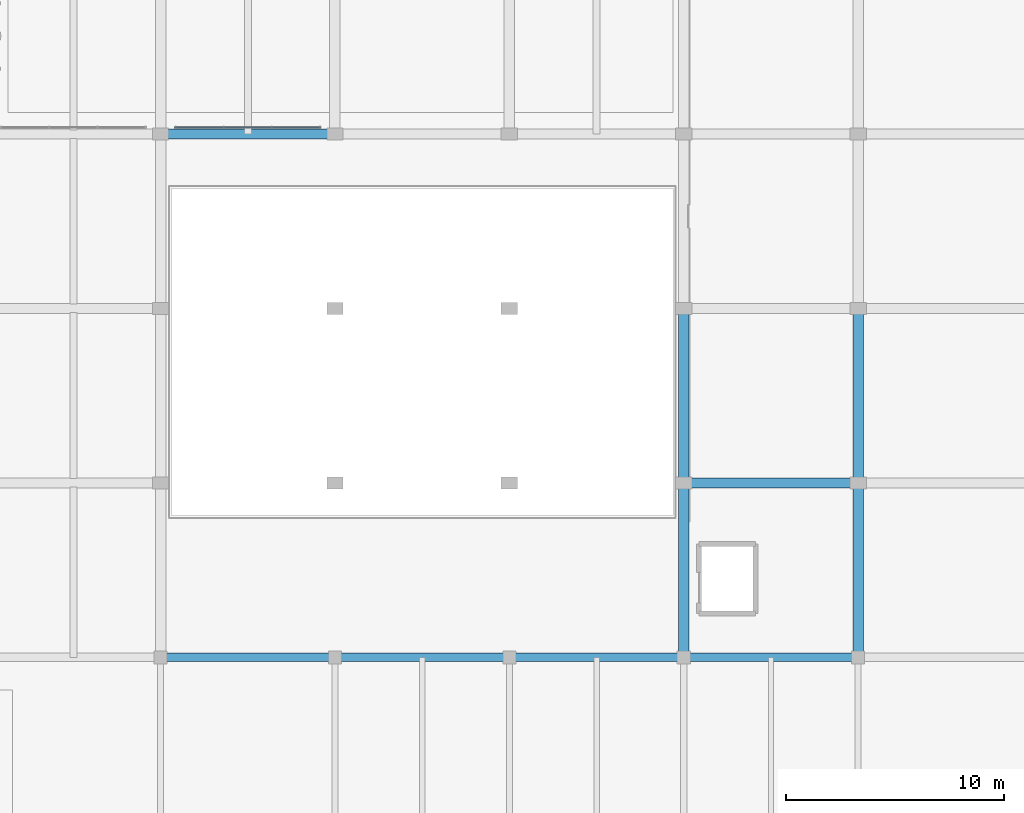
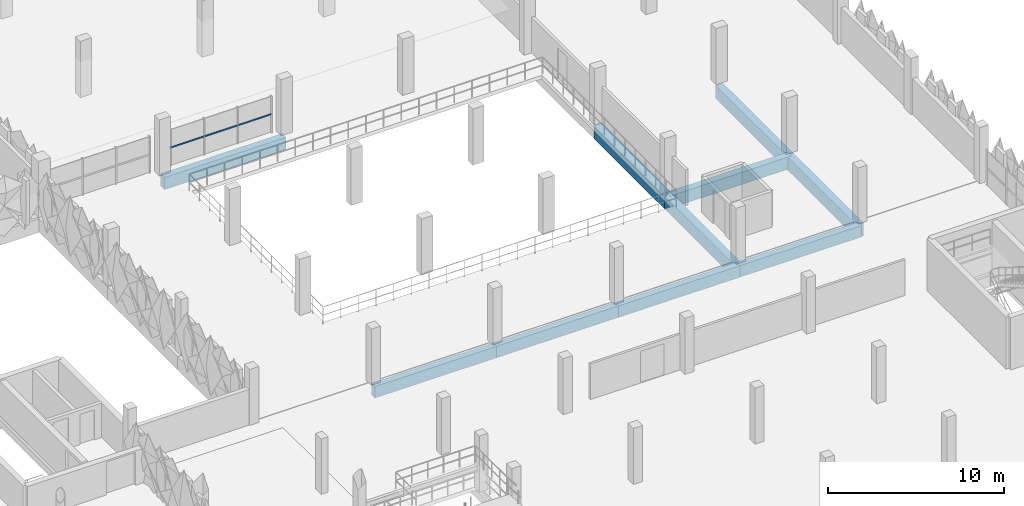
# One storey, part 51 of 123: 10 beams, 1 member, 1 element without a shape of its own.
"""IFC4 building model written with IfcOpenShell, lengths in metres."""

from ifc_helpers import new_model, si_unit, derived_unit, direction, frame, origin, origin_2d, place, context, subcontext, project, spatial, rectangle, extrude, material, layer, layer_set, material_profile, profile_set, type_object, element, aggregate, save


model = new_model("IFC4")

# Units and contexts
model_context = context("Model", 3, precision=1e-05, world=origin(), true_north=direction((0.0, 1.0)))
body_context = subcontext(model_context, "Body", "Model", "MODEL_VIEW")
ifc_project = project(units=[si_unit("LENGTHUNIT", "METRE"), si_unit("AREAUNIT", "SQUARE_METRE"), si_unit("VOLUMEUNIT", "CUBIC_METRE"), si_unit("PLANEANGLEUNIT", "RADIAN"), si_unit("MASSUNIT", "GRAM", prefix="KILO"), si_unit("THERMODYNAMICTEMPERATUREUNIT", "KELVIN"), derived_unit("THERMALTRANSMITTANCEUNIT", [(si_unit("POWERUNIT", "WATT"), 1), (si_unit("AREAUNIT", "SQUARE_METRE"), -1), (si_unit("THERMODYNAMICTEMPERATUREUNIT", "KELVIN"), -1)])], contexts=[model_context])

# Site, building, storey
site_placement = place(None, origin())
site = spatial("IfcSite", under=ifc_project, at=site_placement, CompositionType="ELEMENT")
building_placement = place(site_placement, origin())
building = spatial("IfcBuilding", under=site, at=building_placement, Name="Haiyu Intermodal Mobility Hub", CompositionType="ELEMENT")
storey_placement = place(building_placement, frame((0.0, 0.0, 5.60009765625)))
storey = spatial("IfcBuildingStorey", under=building, at=storey_placement, Name="L01", CompositionType="ELEMENT", Elevation=5.60009765625)

# Beams
ifc_material_1 = material(Name="Concrete C40", Category="concrete")
ifc_material_profile_1 = material_profile(ifc_material_1, rectangle(XDim=0.449951171875, YDim=0.85009765625, at=origin_2d()), Name="RCB450x850")
ifc_profile_set_1 = profile_set([ifc_material_profile_1], Name="Concrete C40")
beam_type_1 = type_object("IfcBeamType", Name="BM-CB02", PredefinedType="BEAM", material=ifc_profile_set_1)
for number, where, z_axis, x_axis, name in (
    (1, (194.0, 88.0, -0.68505859375), (1.0, 0.0, 0.0), (0.0, 1.0, 0.0), "BM-V6G-L01-011"),
    (2, (170.0, 104.0, -0.68505859375), (1.0, 0.0, 0.0), (0.0, 1.0, 0.0), "BM-V6G-L01-020"),
):
    element("IfcBeam", number, at=place(storey_placement, frame(where, z_axis=z_axis, x_axis=x_axis)), inside=storey, type_object=beam_type_1, Name=name, PredefinedType="BEAM", context=body_context, shape_type="SweptSolid", body=[
        extrude(rectangle(XDim=0.449951171875, YDim=0.85009765625, at=origin_2d()), origin(), (0.0, 0.0, 1.0), 8.0),
    ])
ifc_material_profile_2 = material_profile(ifc_material_1, rectangle(XDim=0.39990234375, YDim=0.800048828125, at=origin_2d()), Name="RCB400x800")
ifc_profile_set_2 = profile_set([ifc_material_profile_2], Name="Concrete C40")
beam_type_2 = type_object("IfcBeamType", Name="BM-CB05", PredefinedType="BEAM", material=ifc_profile_set_2)
for number, where, z_axis, x_axis, name in (
    (3, (170.0, 80.0, -0.66015625), (1.0, 0.0, 0.0), (0.0, 1.0, 0.0), "BM-V5G-L01-058"),
    (4, (178.0, 80.0, -0.66015625), (1.0, 0.0, 0.0), (0.0, 1.0, 0.0), "BM-V5G-L01-059"),
    (5, (186.0, 80.0, -0.66015625), (1.0, 0.0, 0.0), (0.0, 1.0, 0.0), "BM-V5G-L01-060"),
    (6, (194.0, 80.0, -0.66015625), (1.0, 0.0, 0.0), (0.0, 1.0, 0.0), "BM-V5G-L01-061"),
):
    element("IfcBeam", number, at=place(storey_placement, frame(where, z_axis=z_axis, x_axis=x_axis)), inside=storey, type_object=beam_type_2, Name=name, PredefinedType="BEAM", context=body_context, shape_type="SweptSolid", body=[
        extrude(rectangle(XDim=0.39990234375, YDim=0.800048828125, at=origin_2d()), origin(), (0.0, 0.0, 1.0), 8.0),
    ])
ifc_material_profile_3 = material_profile(ifc_material_1, rectangle(XDim=0.47998046875, YDim=0.919921875, at=origin_2d()), Name="B480x920")
ifc_profile_set_3 = profile_set([ifc_material_profile_3], Name="Concrete C40")
beam_type_3 = type_object("IfcBeamType", Name="BM-CB13", PredefinedType="BEAM", material=ifc_profile_set_3)
for number, where, z_axis, x_axis, name in (
    (7, (194.0, 80.0, -0.72021484375), (0.0, 1.0, 0.0), (-1.0, 0.0, 0.0), "BM-V6T-L01-033"),
    (8, (194.0, 88.0, -0.72021484375), (0.0, 1.0, 0.0), (-1.0, 0.0, 0.0), "BM-V6T-L01-034"),
    (9, (202.0, 80.0, -0.72021484375), (0.0, 1.0, 0.0), (-1.0, 0.0, 0.0), "BM-V6T-L01-041"),
    (10, (202.0, 88.0, -0.72021484375), (0.0, 1.0, 0.0), (-1.0, 0.0, 0.0), "BM-V6T-L01-042"),
):
    element("IfcBeam", number, at=place(storey_placement, frame(where, z_axis=z_axis, x_axis=x_axis)), inside=storey, type_object=beam_type_3, Name=name, PredefinedType="BEAM", context=body_context, shape_type="SweptSolid", body=[
        extrude(rectangle(XDim=0.47998046875, YDim=0.919921875, at=origin_2d()), origin(), (0.0, 0.0, 1.0), 8.0),
    ])

# Curtain wall, member
ifc_material_2 = material(Name="Low-e laminated insulating glass", Category="glass")
ifc_layer = layer(ifc_material_2, 0.179931640625)
ifc_layer_set = layer_set([ifc_layer], Name="Low-e laminated insulating glass")
curtain_wall_type = type_object("IfcCurtainWallType", Name="CW-CW06", PredefinedType="NOTDEFINED", material=ifc_layer_set)
curtain_wall_placement = place(storey_placement, origin())
curtain_wall = element("IfcCurtainWall", 11, at=curtain_wall_placement, inside=storey, type_object=curtain_wall_type, Name="Curtain Wall CW-INT-04", PredefinedType="NOTDEFINED")
ifc_material_3 = material(Name="Anodised aluminium 6063-T6", Category="aluminium")
ifc_material_profile_4 = material_profile(ifc_material_3, rectangle(XDim=0.054931640625, YDim=0.10009765625, at=origin_2d()), Name="ALU55x100")
ifc_profile_set_4 = profile_set([ifc_material_profile_4], Name="Anodised aluminium 6063-T6")
member_type = type_object("IfcMemberType", Name="CWM-TR04", PredefinedType="USERDEFINED", material=ifc_profile_set_4)
member_placement = place(storey_placement, frame((170.64990234375, 104.300048828125, 1.27490234375), z_axis=(1.0, 0.0, 0.0), x_axis=(0.0, 1.0, 0.0)))
member = element("IfcMember", 12, at=member_placement, type_object=member_type, Name="CW-INT-04-TR01", ObjectType="TRANSOM", PredefinedType="USERDEFINED", context=body_context, shape_type="SweptSolid", body=[
    extrude(rectangle(XDim=0.054931640625, YDim=0.10009765625, at=origin_2d()), origin(), (0.0, 0.0, 1.0), 6.7001953125),
])
aggregate(curtain_wall, [member])

save(model, "model.ifc")
